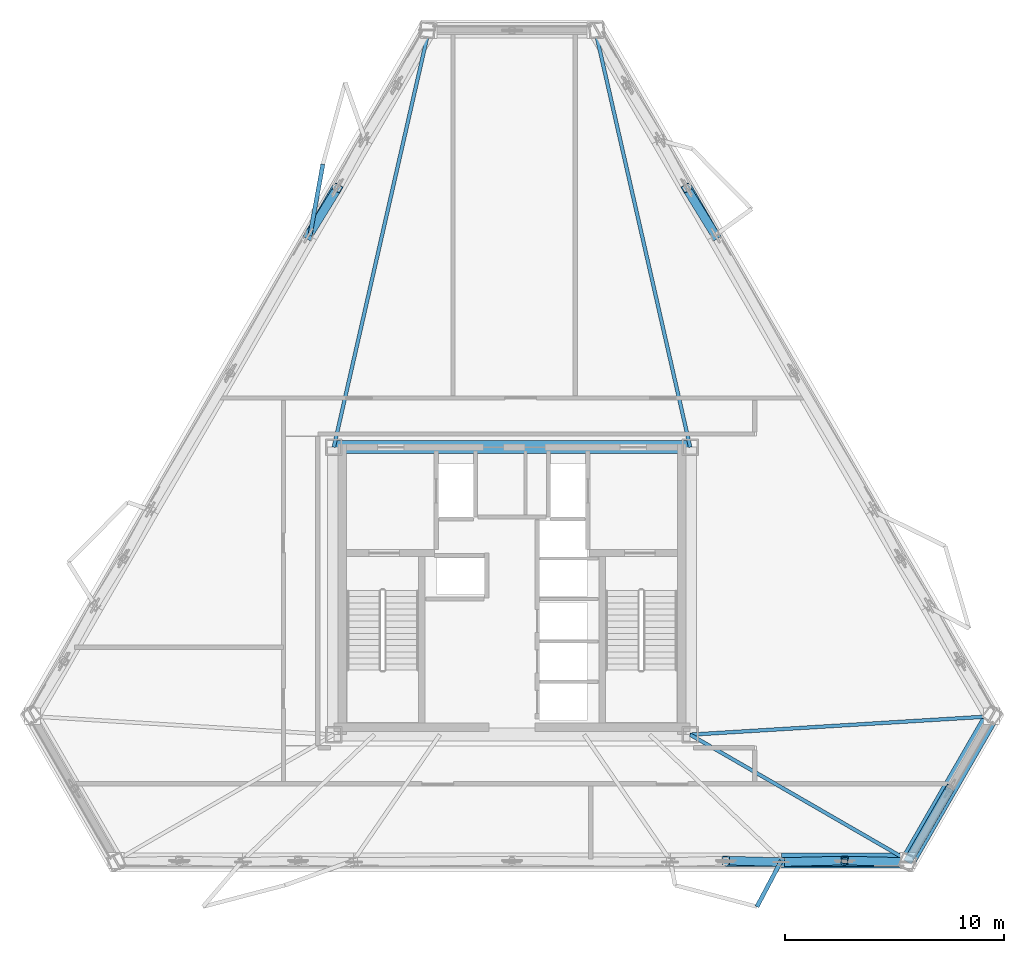
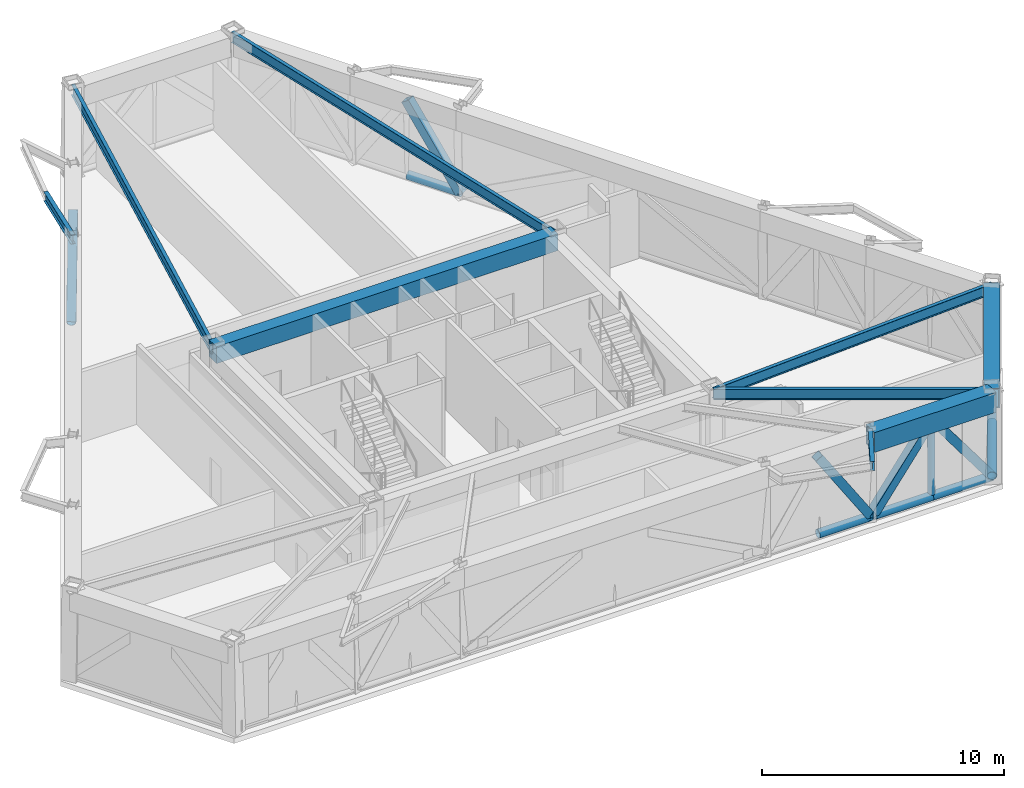
# One storey, part 3 of 10: 13 members, 9 beams.
"""IFC4 building model written with IfcOpenShell, lengths in metres."""

from ifc_helpers import new_model, si_unit, direction, frame, origin, origin_2d, place, context, subcontext, project, spatial, rectangle, hollow_rectangle, hollow_circle, i_section, extrude, material, material_profile, profile_set, type_object, element, save


model = new_model("IFC4")

# Units and contexts
model_context = context("Model", 3, precision=1e-05, world=origin(), true_north=direction((0.0, 1.0)))
body_context = subcontext(model_context, "Body", "Model", "MODEL_VIEW")
ifc_project = project(units=[si_unit("LENGTHUNIT", "METRE"), si_unit("AREAUNIT", "SQUARE_METRE"), si_unit("VOLUMEUNIT", "CUBIC_METRE"), si_unit("PLANEANGLEUNIT", "RADIAN"), si_unit("MASSUNIT", "GRAM", prefix="KILO")], contexts=[model_context])

# Site, building, storey
site_placement = place(None, origin())
site = spatial("IfcSite", under=ifc_project, at=site_placement, CompositionType="ELEMENT")
building_placement = place(site_placement, origin())
building = spatial("IfcBuilding", under=site, at=building_placement, Name="Oramaril Tower", CompositionType="ELEMENT")
storey_placement = place(building_placement, frame((0.0, 0.0, 189.0)))
storey = spatial("IfcBuildingStorey", under=building, at=storey_placement, Name="L50", CompositionType="ELEMENT", Elevation=189.0)

# Beams
ifc_material_1 = material(Name="Steel ASTM A572 Gr 50", Category="steel")
ifc_material_profile_1 = material_profile(ifc_material_1, i_section(OverallWidth=0.19091796875, OverallDepth=0.45703125, WebThickness=0.009033203125, FlangeThickness=0.014404296875, at=origin_2d()), Name="W18X50")
ifc_profile_set_1 = profile_set([ifc_material_profile_1], Name="Steel ASTM A572 Gr 50")
beam_type_1 = type_object("IfcBeamType", Name="BT-BB1", PredefinedType="BEAM", material=ifc_profile_set_1)
beam_1_placement = place(storey_placement, frame((49.81982421875, 5.24169921875, 4.3515625), z_axis=(-0.467572524225, -0.883954712975, 0.0), x_axis=(0.883954712975, -0.467572524225, 0.0)))
element("IfcBeam", 1, at=beam_1_placement, inside=storey, type_object=beam_type_1, Name="L50 Balcony Column-Framed Cantilever 02.2", PredefinedType="BEAM", context=body_context, shape_type="SweptSolid", body=[
    extrude(i_section(OverallWidth=0.19091796875, OverallDepth=0.45703125, WebThickness=0.009033203125, FlangeThickness=0.014404296875, at=origin_2d()), origin(), (0.0, 0.0, 1.0), 2.384521484375),
])
beam_2_placement = place(storey_placement, frame((28.255859375, 33.80517578125, 4.3515625), z_axis=(0.177642166216, 0.984095148236, 0.0), x_axis=(-0.984095148236, 0.177642166216, 0.0)))
element("IfcBeam", 2, at=beam_2_placement, inside=storey, type_object=beam_type_1, Name="L50 Balcony Column-Framed Cantilever 05.2", PredefinedType="BEAM", context=body_context, shape_type="SweptSolid", body=[
    extrude(i_section(OverallWidth=0.19091796875, OverallDepth=0.45703125, WebThickness=0.009033203125, FlangeThickness=0.014404296875, at=origin_2d()), origin(), (0.0, 0.0, 1.0), 3.33544921875),
])
ifc_material_2 = material(Name="Steel ASTM A572 Gr 50", Category="steel")
ifc_material_profile_2 = material_profile(ifc_material_2, hollow_rectangle(XDim=0.699951171875, YDim=1.0, WallThickness=0.06494140625, at=origin_2d()), Name="BOX1000X700X65")
ifc_profile_set_2 = profile_set([ifc_material_profile_2], Name="Steel ASTM A572 Gr 50")
beam_type_2 = type_object("IfcBeamType", Name="BT-BT1", PredefinedType="BEAM", material=ifc_profile_set_2)
beam_3_placement = place(storey_placement, frame((49.81982421875, 5.24169921875, 4.080078125), z_axis=(1.0, 0.0, 0.0), x_axis=(0.0, 1.0, 0.0)))
element("IfcBeam", 3, at=beam_3_placement, inside=storey, type_object=beam_type_2, Name="L50 Perimeter Spandrel 06", PredefinedType="BEAM", context=body_context, shape_type="SweptSolid", body=[
    extrude(hollow_rectangle(XDim=0.699951171875, YDim=1.0, WallThickness=0.06494140625, at=origin_2d()), origin(), (0.0, 0.0, 1.0), 5.79736328125),
])
beam_4_placement = place(storey_placement, frame((55.6171875, 5.24169921875, 4.080078125), z_axis=(0.500006337612, 0.866021744731, 0.0), x_axis=(-0.866021744731, 0.500006337612, 0.0)))
element("IfcBeam", 4, at=beam_4_placement, inside=storey, type_object=beam_type_2, Name="L50 Perimeter Spandrel 07", PredefinedType="BEAM", context=body_context, shape_type="SweptSolid", body=[
    extrude(hollow_rectangle(XDim=0.699951171875, YDim=1.0, WallThickness=0.06494140625, at=origin_2d()), origin(), (0.0, 0.0, 1.0), 7.6181640625),
])
ifc_material_3 = material(Name="Concrete C50/60", Category="concrete")
ifc_material_profile_3 = material_profile(ifc_material_3, rectangle(XDim=0.60009765625, YDim=0.85009765625, at=origin_2d()), Name="CB600X850")
ifc_profile_set_3 = profile_set([ifc_material_profile_3], Name="Concrete C50/60")
beam_type_3 = type_object("IfcBeamType", Name="BT-CB2", PredefinedType="BEAM", material=ifc_profile_set_3)
beam_5_placement = place(storey_placement, frame((45.64990234375, 24.14990234375, 4.155029296875), z_axis=(-1.0, 0.0, 0.0), x_axis=(0.0, -1.0, 0.0)))
element("IfcBeam", 5, at=beam_5_placement, inside=storey, type_object=beam_type_3, Name="L50 Core Header Beam CB-3", PredefinedType="BEAM", context=body_context, shape_type="SweptSolid", body=[
    extrude(rectangle(XDim=0.60009765625, YDim=0.85009765625, at=origin_2d()), origin(), (0.0, 0.0, 1.0), 16.2998046875),
])
ifc_material_4 = material(Name="Steel ASTM A572 Gr 50", Category="steel")
ifc_material_profile_4 = material_profile(ifc_material_4, i_section(OverallWidth=0.166015625, OverallDepth=0.528076171875, WebThickness=0.009765625, FlangeThickness=0.013671875, at=origin_2d()), Name="W21X50")
ifc_profile_set_4 = profile_set([ifc_material_profile_4], Name="Steel ASTM A572 Gr 50")
beam_type_4 = type_object("IfcBeamType", Name="BT-FB3", PredefinedType="BEAM", material=ifc_profile_set_4)
beam_6_placement = place(storey_placement, frame((45.64990234375, 11.0, 4.31591796875), z_axis=(0.865886713512, -0.500240141696, 0.0), x_axis=(0.500240141696, 0.865886713512, 0.0)))
element("IfcBeam", 6, at=beam_6_placement, inside=storey, type_object=beam_type_4, Name="L50 Radial Primary Beam RB-03", PredefinedType="BEAM", context=body_context, shape_type="SweptSolid", body=[
    extrude(i_section(OverallWidth=0.166015625, OverallDepth=0.528076171875, WebThickness=0.009765625, FlangeThickness=0.013671875, at=origin_2d()), origin(), (0.0, 0.0, 1.0), 11.510986328125),
])
beam_7_placement = place(storey_placement, frame((45.64990234375, 11.0, 4.31591796875), z_axis=(0.998150163304, 0.060796804978, 0.0), x_axis=(-0.060796804978, 0.998150163304, 0.0)))
element("IfcBeam", 7, at=beam_7_placement, inside=storey, type_object=beam_type_4, Name="L50 Radial Primary Beam RB-04", PredefinedType="BEAM", context=body_context, shape_type="SweptSolid", body=[
    extrude(i_section(OverallWidth=0.166015625, OverallDepth=0.528076171875, WebThickness=0.009765625, FlangeThickness=0.013671875, at=origin_2d()), origin(), (0.0, 0.0, 1.0), 13.802001953125),
])
for number, where, z_axis, x_axis, name in (
    (8, (45.64990234375, 24.14990234375, 4.31591796875), (-0.221955617391, 0.975056769582, 0.0), (-0.975056769582, -0.221955617391, 0.0), "L50 Radial Primary Beam RB-05"),
    (9, (29.35009765625, 24.14990234375, 4.31591796875), (0.221955617391, 0.975056769582, 0.0), (-0.975056769582, 0.221955617391, 0.0), "L50 Radial Primary Beam RB-06"),
):
    element("IfcBeam", number, at=place(storey_placement, frame(where, z_axis=z_axis, x_axis=x_axis)), inside=storey, type_object=beam_type_4, Name=name, PredefinedType="BEAM", context=body_context, shape_type="SweptSolid", body=[
        extrude(i_section(OverallWidth=0.166015625, OverallDepth=0.528076171875, WebThickness=0.009765625, FlangeThickness=0.013671875, at=origin_2d()), origin(), (0.0, 0.0, 1.0), 19.55712890625),
    ])

# Members
ifc_material_5 = material(Name="Steel ASTM A572 Gr 50", Category="steel")
ifc_material_profile_5 = material_profile(ifc_material_5, hollow_rectangle(XDim=0.39990234375, YDim=0.39990234375, WallThickness=0.02001953125, at=origin_2d()), Name="HSS400X400X20")
ifc_profile_set_5 = profile_set([ifc_material_profile_5], Name="Steel ASTM A572 Gr 50")
member_type_1 = type_object("IfcMemberType", Name="MT-BD1", PredefinedType="BRACE", material=ifc_profile_set_5)
member_1_placement = place(storey_placement, frame((49.799560546875, 5.17138671875, 0.2099609375), z_axis=(-0.545044096908, 0.015229717659, 0.838269042805), x_axis=(-0.027931273466, -0.999609845871, 0.0)))
element("IfcMember", 10, at=member_1_placement, inside=storey, type_object=member_type_1, Name="L50 Truss Diagonal 05B", PredefinedType="BRACE", context=body_context, shape_type="SweptSolid", body=[
    extrude(hollow_rectangle(XDim=0.39990234375, YDim=0.39990234375, WallThickness=0.02001953125, at=origin_2d()), origin(), (0.0, 0.0, 1.0), 4.61669921875),
])
member_2_placement = place(storey_placement, frame((49.799560546875, 5.17138671875, 0.2099609375), z_axis=(0.602094106491, 0.014503437828, 0.79829339044), x_axis=(-0.024081338301, 0.999710002524, 0.0)))
element("IfcMember", 11, at=member_2_placement, inside=storey, type_object=member_type_1, Name="L50 Truss Diagonal 06A", PredefinedType="BRACE", context=body_context, shape_type="SweptSolid", body=[
    extrude(hollow_rectangle(XDim=0.39990234375, YDim=0.39990234375, WallThickness=0.02001953125, at=origin_2d()), origin(), (0.0, 0.0, 1.0), 4.847900390625),
])
member_3_placement = place(storey_placement, frame((55.58740234375, 5.17138671875, 0.2099609375), z_axis=(-0.595451328468, 0.014593650123, 0.803258825536), x_axis=(-0.024501195012, -0.999699800662, 0.0)))
element("IfcMember", 12, at=member_3_placement, inside=storey, type_object=member_type_1, Name="L50 Truss Diagonal 06B", PredefinedType="BRACE", context=body_context, shape_type="SweptSolid", body=[
    extrude(hollow_rectangle(XDim=0.39990234375, YDim=0.39990234375, WallThickness=0.02001953125, at=origin_2d()), origin(), (0.0, 0.0, 1.0), 4.818115234375),
])
member_4_placement = place(storey_placement, frame((55.58740234375, 5.17138671875, 0.2099609375), z_axis=(0.352753248641, 0.614368557111, 0.705773633403), x_axis=(-0.867216411161, 0.497931417177, 0.0)))
element("IfcMember", 13, at=member_4_placement, inside=storey, type_object=member_type_1, Name="L50 Truss Diagonal 07A", PredefinedType="BRACE", context=body_context, shape_type="SweptSolid", body=[
    extrude(hollow_rectangle(XDim=0.39990234375, YDim=0.39990234375, WallThickness=0.02001953125, at=origin_2d()), origin(), (0.0, 0.0, 1.0), 5.4833984375),
])
for number, where, z_axis, x_axis, name in (
    (14, (46.81103515625, 33.830078125, 0.2099609375), (-0.288066520627, 0.468608577355, 0.835118962139), (-0.851908136113, -0.523691252194, 0.0), "L50 Truss Diagonal 11A"),
    (15, (28.18896484375, 33.830078125, 0.2099609375), (0.288066520627, 0.468608577355, 0.835118962139), (-0.851908136113, 0.523691252194, 0.0), "L50 Truss Diagonal 15B"),
):
    element("IfcMember", number, at=place(storey_placement, frame(where, z_axis=z_axis, x_axis=x_axis)), inside=storey, type_object=member_type_1, Name=name, PredefinedType="BRACE", context=body_context, shape_type="SweptSolid", body=[
        extrude(hollow_rectangle(XDim=0.39990234375, YDim=0.39990234375, WallThickness=0.02001953125, at=origin_2d()), origin(), (0.0, 0.0, 1.0), 4.63427734375),
    ])
ifc_material_6 = material(Name="Steel ASTM A572 Gr 50", Category="steel")
ifc_material_profile_6 = material_profile(ifc_material_6, hollow_circle(Radius=0.202880859375, WallThickness=0.01611328125, at=origin_2d()), Name="CHS406X16")
ifc_profile_set_6 = profile_set([ifc_material_profile_6], Name="Steel ASTM A572 Gr 50")
member_type_2 = type_object("IfcMemberType", Name="MT-CH1", PredefinedType="CHORD", material=ifc_profile_set_6)
member_5_placement = place(storey_placement, frame((47.267333984375, 5.17138671875, 0.2099609375), z_axis=(1.0, 0.0, 0.0), x_axis=(0.0, 1.0, 0.0)))
element("IfcMember", 16, at=member_5_placement, inside=storey, type_object=member_type_2, Name="L50 Belt Truss Chord 05B", PredefinedType="CHORD", context=body_context, shape_type="SweptSolid", body=[
    extrude(hollow_circle(Radius=0.202880859375, WallThickness=0.01611328125, at=origin_2d()), origin(), (0.0, 0.0, 1.0), 2.5322265625),
])
member_6_placement = place(storey_placement, frame((49.799560546875, 5.17138671875, 0.2099609375), z_axis=(1.0, 0.0, 0.0), x_axis=(0.0, 1.0, 0.0)))
element("IfcMember", 17, at=member_6_placement, inside=storey, type_object=member_type_2, Name="L50 Belt Truss Chord 06A", PredefinedType="CHORD", context=body_context, shape_type="SweptSolid", body=[
    extrude(hollow_circle(Radius=0.202880859375, WallThickness=0.01611328125, at=origin_2d()), origin(), (0.0, 0.0, 1.0), 2.89404296875),
])
member_7_placement = place(storey_placement, frame((52.693603515625, 5.17138671875, 0.2099609375), z_axis=(1.0, 0.0, 0.0), x_axis=(0.0, 1.0, 0.0)))
element("IfcMember", 18, at=member_7_placement, inside=storey, type_object=member_type_2, Name="L50 Belt Truss Chord 06B", PredefinedType="CHORD", context=body_context, shape_type="SweptSolid", body=[
    extrude(hollow_circle(Radius=0.202880859375, WallThickness=0.01611328125, at=origin_2d()), origin(), (0.0, 0.0, 1.0), 2.893798828125),
])
member_8_placement = place(storey_placement, frame((55.58740234375, 5.17138671875, 0.2099609375), z_axis=(0.499978127697, 0.866038031396, 0.0), x_axis=(-0.866038031396, 0.499978127697, 0.0)))
element("IfcMember", 19, at=member_8_placement, inside=storey, type_object=member_type_2, Name="L50 Belt Truss Chord 07A", PredefinedType="CHORD", context=body_context, shape_type="SweptSolid", body=[
    extrude(hollow_circle(Radius=0.202880859375, WallThickness=0.01611328125, at=origin_2d()), origin(), (0.0, 0.0, 1.0), 3.885009765625),
])
for number, where, z_axis, x_axis, name in (
    (20, (46.81103515625, 33.830078125, 0.2099609375), (-0.500017346395, 0.866015388607, 0.0), (-0.866015388607, -0.500017346395, 0.0), "L50 Belt Truss Chord 11A"),
    (21, (29.455078125, 36.02294921875, 0.2099609375), (-0.500017346395, -0.866015388607, 0.0), (0.866015388607, -0.500017346395, 0.0), "L50 Belt Truss Chord 15B"),
):
    element("IfcMember", number, at=place(storey_placement, frame(where, z_axis=z_axis, x_axis=x_axis)), inside=storey, type_object=member_type_2, Name=name, PredefinedType="CHORD", context=body_context, shape_type="SweptSolid", body=[
        extrude(hollow_circle(Radius=0.202880859375, WallThickness=0.01611328125, at=origin_2d()), origin(), (0.0, 0.0, 1.0), 2.5322265625),
    ])
ifc_material_7 = material(Name="Steel ASTM A572 Gr 50", Category="steel")
ifc_material_profile_7 = material_profile(ifc_material_7, hollow_circle(Radius=0.162109375, WallThickness=0.011962890625, at=origin_2d()), Name="CHS324X12")
ifc_profile_set_7 = profile_set([ifc_material_profile_7], Name="Steel ASTM A572 Gr 50")
member_type_3 = type_object("IfcMemberType", Name="MT-ST1", PredefinedType="STRUT", material=ifc_profile_set_7)
member_9_placement = place(storey_placement, frame((52.693603515625, 5.17138671875, 0.2099609375), z_axis=(0.006433324485, 0.018164680898, 0.999814311112), x_axis=(-0.942627225161, 0.333847142245, 0.0)))
element("IfcMember", 22, at=member_9_placement, inside=storey, type_object=member_type_3, Name="L50 Belt Truss Strut 06", PredefinedType="STRUT", context=body_context, shape_type="SweptSolid", body=[
    extrude(hollow_circle(Radius=0.162109375, WallThickness=0.011962890625, at=origin_2d()), origin(), (0.0, 0.0, 1.0), 3.870849609375),
])

save(model, "model.ifc")
